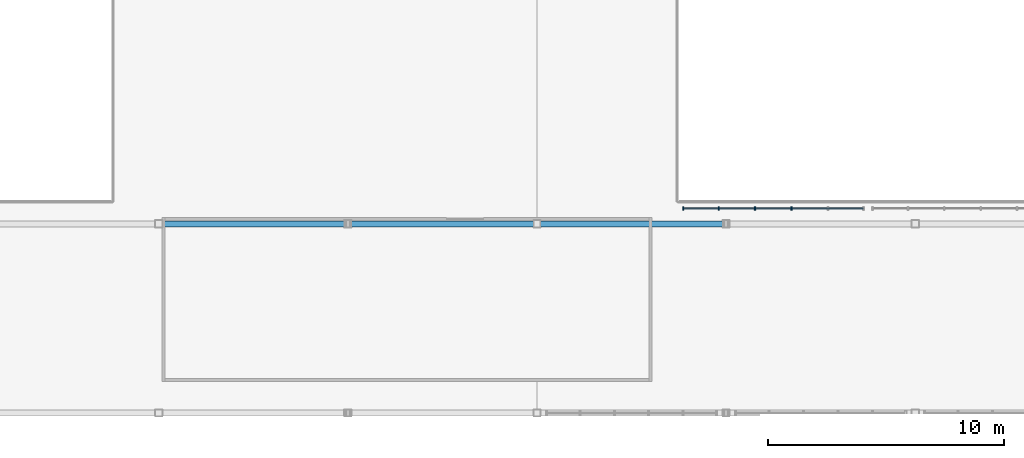
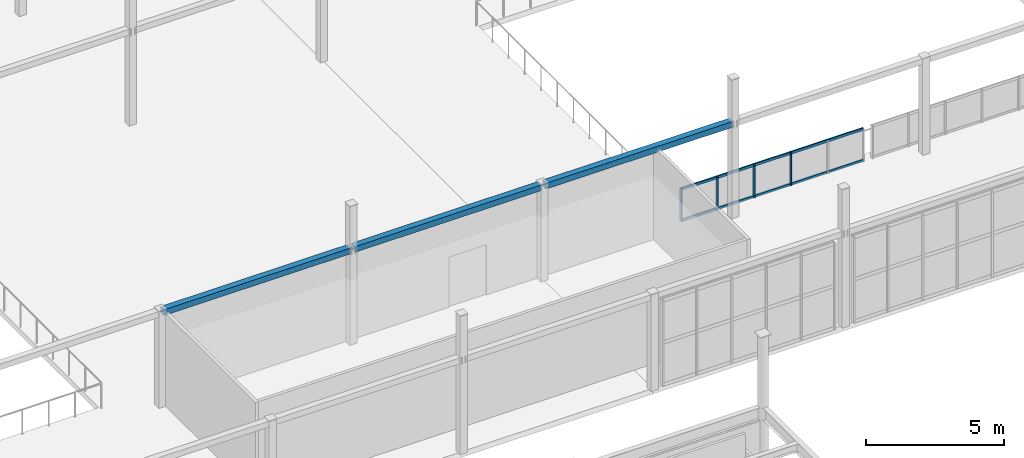
# One storey, part 26 of 83: 9 members, 1 element without a shape of its own.
"""IFC4 building model written with IfcOpenShell, lengths in metres."""

from ifc_helpers import new_model, si_unit, direction, frame, origin, origin_2d, place, context, subcontext, project, spatial, rectangle, hollow_rectangle, extrude, material, material_profile, profile_set, type_object, element, aggregate, save


model = new_model("IFC4")

# Units and contexts
model_context = context("Model", 3, precision=1e-05, world=origin(), true_north=direction((0.0, 1.0)))
body_context = subcontext(model_context, "Body", "Model", "MODEL_VIEW")
ifc_project = project(units=[si_unit("LENGTHUNIT", "METRE"), si_unit("AREAUNIT", "SQUARE_METRE"), si_unit("VOLUMEUNIT", "CUBIC_METRE"), si_unit("PLANEANGLEUNIT", "RADIAN"), si_unit("MASSUNIT", "GRAM", prefix="KILO")], contexts=[model_context])

# Site, building, storey
site_placement = place(None, origin())
site = spatial("IfcSite", under=ifc_project, at=site_placement, CompositionType="ELEMENT")
building_placement = place(site_placement, origin())
building = spatial("IfcBuilding", under=site, at=building_placement, Name="Drelvath Fold Interchange", CompositionType="ELEMENT")
storey_placement = place(building_placement, frame((0.0, 0.0, 11.199951171875)))
storey = spatial("IfcBuildingStorey", under=building, at=storey_placement, Name="L02", CompositionType="ELEMENT", Elevation=11.199951171875)

# Members
ifc_material_1 = material(Name="Steel ASTM A500 Grade C", Category="steel")
ifc_material_profile_1 = material_profile(ifc_material_1, hollow_rectangle(XDim=0.25390625, YDim=0.25390625, WallThickness=0.01171875, at=origin_2d()), Name="HSS10X10X1/2")
ifc_profile_set_1 = profile_set([ifc_material_profile_1], Name="Steel ASTM A500 Grade C")
member_type_1 = type_object("IfcMemberType", Name="FP-CHD254", PredefinedType="CHORD", material=ifc_profile_set_1)
for number, where, z_axis, x_axis, name in (
    (1, (36.080078125, 67.0, 4.150146484375), (1.0, 0.0, 0.0), (0.0, 1.0, 0.0), "L02 Folded-plate roof truss tie chord FP-CHD254"),
    (2, (44.080078125, 67.0, 4.150146484375), (1.0, 0.0, 0.0), (0.0, 1.0, 0.0), "L02 Folded-plate roof truss tie chord FP-CHD254"),
    (3, (52.080078125, 67.0, 4.150146484375), (1.0, 0.0, 0.0), (0.0, 1.0, 0.0), "L02 Folded-plate roof truss tie chord FP-CHD254"),
):
    element("IfcMember", number, at=place(storey_placement, frame(where, z_axis=z_axis, x_axis=x_axis)), inside=storey, type_object=member_type_1, Name=name, PredefinedType="CHORD", context=body_context, shape_type="SweptSolid", body=[
        extrude(hollow_rectangle(XDim=0.25390625, YDim=0.25390625, WallThickness=0.01171875, at=origin_2d()), origin(), (0.0, 0.0, 1.0), 7.83984375),
    ])

# Curtain wall, members
ifc_material_2 = material(Name="Anodized Aluminium 6063-T6", Category="aluminium")
curtain_wall_type = type_object("IfcCurtainWallType", Name="CW-ATR-SCR", PredefinedType="USERDEFINED", material=ifc_material_2)
curtain_wall_placement = place(storey_placement, origin())
curtain_wall = element("IfcCurtainWall", 4, at=curtain_wall_placement, inside=storey, type_object=curtain_wall_type, Name="Curtain wall CW-ATR-L02-S58", ObjectType="GLAZED SCREEN WALL", PredefinedType="USERDEFINED")
ifc_material_profile_2 = material_profile(ifc_material_2, rectangle(XDim=0.054931640625, YDim=0.135009765625, at=origin_2d()), Name="AL-M 55x135")
ifc_profile_set_2 = profile_set([ifc_material_profile_2], Name="Anodized Aluminium 6063-T6")
member_type_2 = type_object("IfcMemberType", Name="ML-135", PredefinedType="MULLION", material=ifc_profile_set_2)
member_1_placement = place(storey_placement, frame((58.18994140625, 67.64990234375, 0.0), z_axis=(0.0, 0.0, 1.0), x_axis=(1.0, 0.0, 0.0)))
member_1 = element("IfcMember", 5, at=member_1_placement, type_object=member_type_2, Name="CW-ATR-L02-S58 mullion 0", PredefinedType="MULLION", context=body_context, shape_type="SweptSolid", body=[
    extrude(rectangle(XDim=0.054931640625, YDim=0.135009765625, at=origin_2d()), origin(), (0.0, 0.0, 1.0), 1.449951171875),
])
member_2_placement = place(storey_placement, frame((59.68994140625, 67.64990234375, 0.0), z_axis=(0.0, 0.0, 1.0), x_axis=(1.0, 0.0, 0.0)))
member_2 = element("IfcMember", 6, at=member_2_placement, type_object=member_type_2, Name="CW-ATR-L02-S58 mullion 1", PredefinedType="MULLION", context=body_context, shape_type="SweptSolid", body=[
    extrude(rectangle(XDim=0.054931640625, YDim=0.135009765625, at=origin_2d()), origin(), (0.0, 0.0, 1.0), 1.449951171875),
])
member_3_placement = place(storey_placement, frame((61.22998046875, 67.64990234375, 0.0), z_axis=(0.0, 0.0, 1.0), x_axis=(1.0, 0.0, 0.0)))
member_3 = element("IfcMember", 7, at=member_3_placement, type_object=member_type_2, Name="CW-ATR-L02-S58 mullion 2", PredefinedType="MULLION", context=body_context, shape_type="SweptSolid", body=[
    extrude(rectangle(XDim=0.054931640625, YDim=0.135009765625, at=origin_2d()), origin(), (0.0, 0.0, 1.0), 1.449951171875),
])
member_4_placement = place(storey_placement, frame((62.77001953125, 67.64990234375, 0.0), z_axis=(0.0, 0.0, 1.0), x_axis=(1.0, 0.0, 0.0)))
member_4 = element("IfcMember", 8, at=member_4_placement, type_object=member_type_2, Name="CW-ATR-L02-S58 mullion 3", PredefinedType="MULLION", context=body_context, shape_type="SweptSolid", body=[
    extrude(rectangle(XDim=0.054931640625, YDim=0.135009765625, at=origin_2d()), origin(), (0.0, 0.0, 1.0), 1.449951171875),
])
ifc_material_profile_3 = material_profile(ifc_material_2, rectangle(XDim=0.054931640625, YDim=0.110107421875, at=origin_2d()), Name="AL-T 55x110")
ifc_profile_set_3 = profile_set([ifc_material_profile_3], Name="Anodized Aluminium 6063-T6")
member_type_3 = type_object("IfcMemberType", Name="TR-110", PredefinedType="USERDEFINED", material=ifc_profile_set_3)
member_5_placement = place(storey_placement, frame((58.18994140625, 67.64990234375, 0.030029296875), z_axis=(1.0, 0.0, 0.0), x_axis=(0.0, 1.0, 0.0)))
member_5 = element("IfcMember", 9, at=member_5_placement, type_object=member_type_3, Name="CW-ATR-L02-S58 transom 0", ObjectType="TRANSOM", PredefinedType="USERDEFINED", context=body_context, shape_type="SweptSolid", body=[
    extrude(rectangle(XDim=0.054931640625, YDim=0.110107421875, at=origin_2d()), origin(), (0.0, 0.0, 1.0), 7.6201171875),
])
member_6_placement = place(storey_placement, frame((58.18994140625, 67.64990234375, 1.420166015625), z_axis=(1.0, 0.0, 0.0), x_axis=(0.0, 1.0, 0.0)))
member_6 = element("IfcMember", 10, at=member_6_placement, type_object=member_type_3, Name="CW-ATR-L02-S58 transom 1", ObjectType="TRANSOM", PredefinedType="USERDEFINED", context=body_context, shape_type="SweptSolid", body=[
    extrude(rectangle(XDim=0.054931640625, YDim=0.110107421875, at=origin_2d()), origin(), (0.0, 0.0, 1.0), 7.6201171875),
])
aggregate(curtain_wall, [member_1, member_2, member_3, member_4, member_5, member_6])

save(model, "model.ifc")
